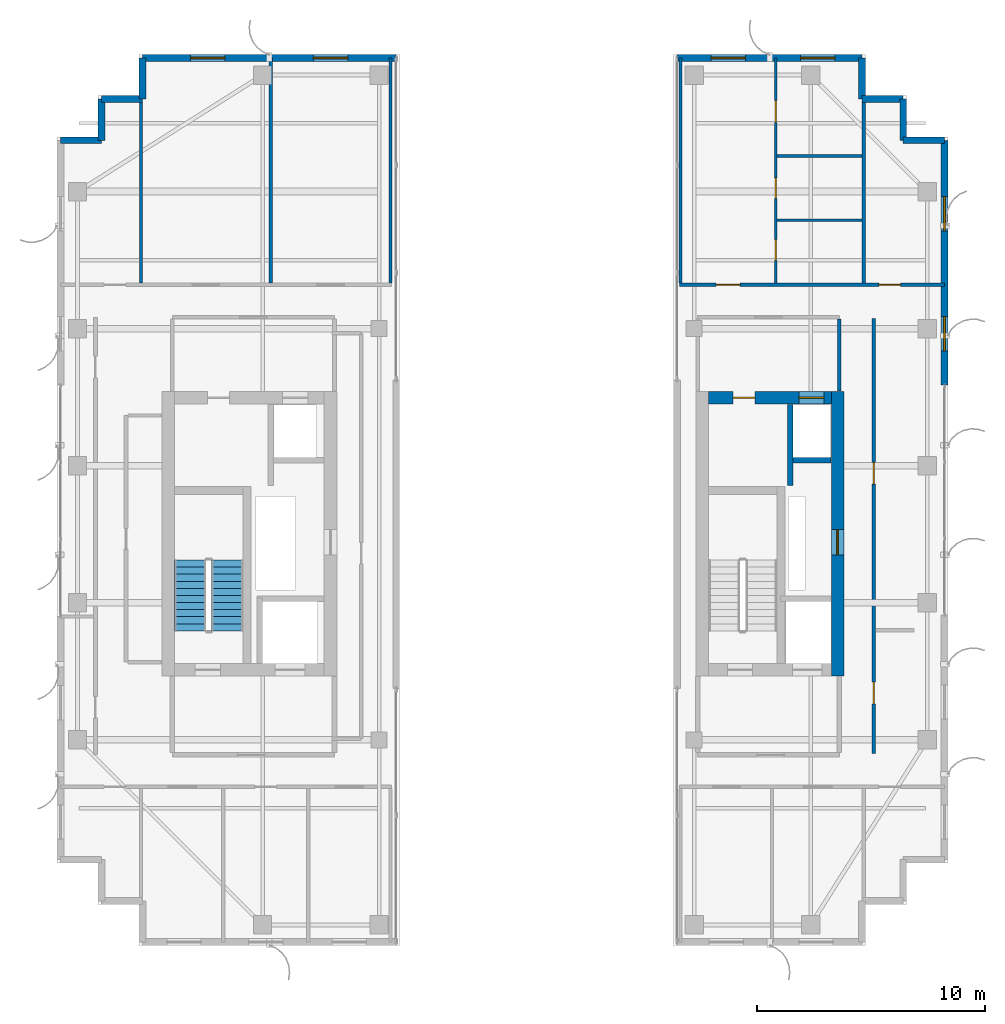
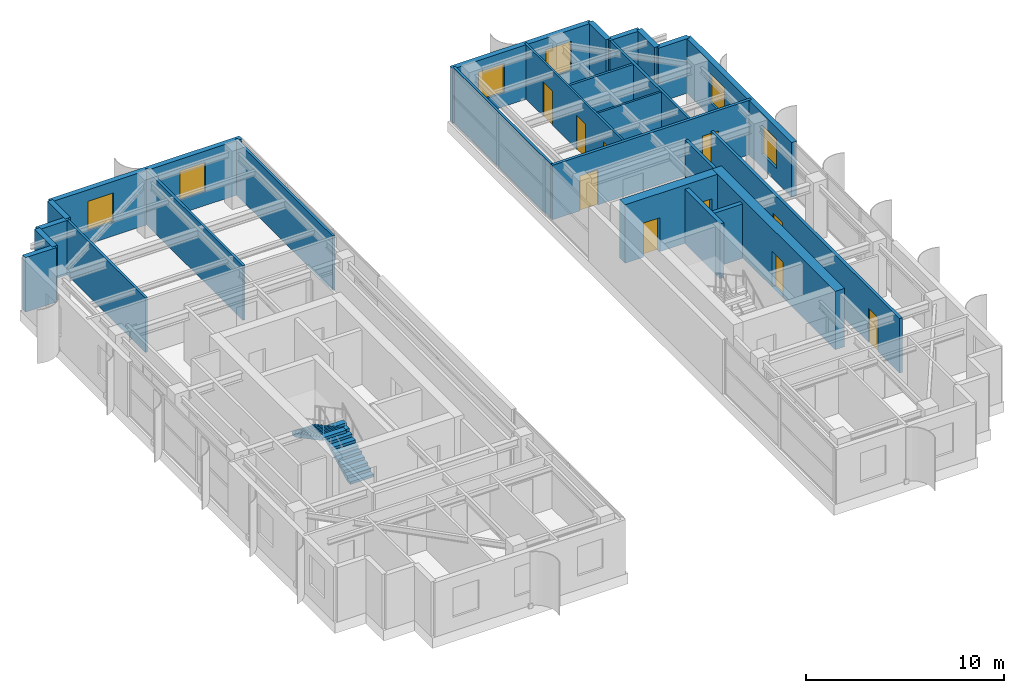
# One storey, part 20 of 24: 26 walls, 10 doors, 6 windows, 2 stair flights, 16 openings, 1 element without a shape of its own.
"""IFC4 building model written with IfcOpenShell, lengths in metres."""

from ifc_helpers import new_model, si_unit, direction, frame, frame_2d, origin, place, context, subcontext, project, spatial, polyline, rectangle, outline, extrude, source, transform, mapped, material, layer, layer_set, type_object, element, fill, aggregate, save


model = new_model("IFC4")

# Units and contexts
model_context = context("Model", 3, precision=1e-05, world=origin(), true_north=direction((0.0, 1.0)))
body_context = subcontext(model_context, "Body", "Model", "MODEL_VIEW")
ifc_project = project(units=[si_unit("LENGTHUNIT", "METRE"), si_unit("AREAUNIT", "SQUARE_METRE"), si_unit("VOLUMEUNIT", "CUBIC_METRE"), si_unit("PLANEANGLEUNIT", "RADIAN"), si_unit("MASSUNIT", "GRAM", prefix="KILO")], contexts=[model_context])

# Site, building, storey
site_placement = place(None, origin())
site = spatial("IfcSite", under=ifc_project, at=site_placement, CompositionType="ELEMENT")
building_placement = place(site_placement, origin())
building = spatial("IfcBuilding", under=site, at=building_placement, Name="Khoralis Quay Care Tower", CompositionType="ELEMENT")
storey_placement = place(building_placement, frame((0.0, 0.0, 227.699951171875)))
storey = spatial("IfcBuildingStorey", under=building, at=storey_placement, Name="L59", CompositionType="ELEMENT", Elevation=227.699951171875)

# Wall, opening, door
ifc_material_1 = material(Name="Concrete C65/80", Category="concrete")
ifc_layer_1 = layer(ifc_material_1, 0.550048828125)
ifc_layer_set_1 = layer_set([ifc_layer_1], Name="Concrete C65/80")
wall_type_1 = type_object("IfcWallType", Name="WL-CORE-550", PredefinedType="SHEAR", material=ifc_layer_set_1)
wall_1_placement = place(storey_placement, frame((37.175048828125, 14.800048828125, 0.0), z_axis=(0.0, 0.0, 1.0), x_axis=(0.0, 1.0, 0.0)))
wall_1 = element("IfcWall", 1, at=wall_1_placement, inside=storey, type_object=wall_type_1, Name="L59 ECORE East Shear Wall", PredefinedType="SHEAR", context=body_context, shape_type="SweptSolid", body=[
    extrude(rectangle(XDim=12.449951171875, YDim=0.550048828125, at=frame_2d((6.22509765625, 0.0))), origin(), (0.0, 0.0, 1.0), 3.60009765625),
])
opening_1_placement = place(wall_1_placement, frame((5.300048828125, 0.0, 0.0)))
opening_1 = element("IfcOpeningElement", 2, at=opening_1_placement, cuts=wall_1, Name="Opening SD1", PredefinedType="OPENING", context=body_context, shape_type="SweptSolid", body=[
    extrude(rectangle(XDim=1.10009765625, YDim=2.199951171875, at=frame_2d((0.550048828125, 1.10009765625))), frame((0.0, 0.28515625, 0.0), z_axis=(0.0, -1.0, 0.0), x_axis=(1.0, 0.0, 0.0)), (0.0, 0.0, 1.0), 0.570068359375),
])
ifc_material_2 = material(Name="Fire-rated painted steel", Category="steel")
door_type_1 = type_object("IfcDoorType", Name="DR-STAIR-1100X2200", OperationType="NOTDEFINED", PredefinedType="DOOR", material=ifc_material_2)
shared_shape_1 = source(origin(), body_context, "Body", "SweptSolid", [
    extrude(rectangle(XDim=1.10009765625, YDim=2.199951171875, at=frame_2d((0.550048828125, 1.10009765625))), frame((0.0, 0.02490234375, 0.0), z_axis=(0.0, -1.0, 0.0), x_axis=(1.0, 0.0, 0.0)), (0.0, 0.0, 1.0), 0.050048828125),
])
door_1_placement = place(opening_1_placement, frame((1.10009765625, 0.0, 0.0), z_axis=(0.0, 0.0, 1.0), x_axis=(-1.0, 0.0, 0.0)))
door_1 = element("IfcDoor", 3, at=door_1_placement, inside=storey, type_object=door_type_1, Name="L59 East MEP Riser Door", OperationType="SINGLE_SWING_RIGHT", OverallHeight=2.199951171875, OverallWidth=1.10009765625, PredefinedType="DOOR", context=body_context, shape_type="MappedRepresentation", body=[
    mapped(shared_shape_1, transform((0.0, 0.0, 0.0), scale=1.0)),
])
fill(opening_1, door_1)

# Wall, openings, doors
wall_2_placement = place(storey_placement, frame((31.52001953125, 26.97509765625, 0.0), z_axis=(0.0, 0.0, 1.0), x_axis=(1.0, 0.0, 0.0)))
wall_2 = element("IfcWall", 4, at=wall_2_placement, inside=storey, type_object=wall_type_1, Name="L59 ECORE North Shear Wall", PredefinedType="SHEAR", context=body_context, shape_type="SweptSolid", body=[
    extrude(rectangle(XDim=5.3798828125, YDim=0.550048828125, at=frame_2d((2.68994140625, 0.0))), origin(), (0.0, 0.0, 1.0), 3.60009765625),
])
opening_2_placement = place(wall_2_placement, frame((1.080078125, 0.0, 0.0)))
opening_2 = element("IfcOpeningElement", 5, at=opening_2_placement, cuts=wall_2, Name="Opening ID1", PredefinedType="OPENING", context=body_context, shape_type="SweptSolid", body=[
    extrude(rectangle(XDim=0.949951171875, YDim=2.10009765625, at=frame_2d((0.47509765625, 1.050048828125))), frame((0.0, 0.28515625, 0.0), z_axis=(0.0, -1.0, 0.0), x_axis=(1.0, 0.0, 0.0)), (0.0, 0.0, 1.0), 0.570068359375),
])
opening_3_placement = place(wall_2_placement, frame((3.9599609375, 0.0, 0.0)))
opening_3 = element("IfcOpeningElement", 6, at=opening_3_placement, cuts=wall_2, Name="Opening LD1", PredefinedType="OPENING", context=body_context, shape_type="SweptSolid", body=[
    extrude(rectangle(XDim=1.10009765625, YDim=2.199951171875, at=frame_2d((0.550048828125, 1.10009765625))), frame((0.0, 0.28515625, 0.0), z_axis=(0.0, -1.0, 0.0), x_axis=(1.0, 0.0, 0.0)), (0.0, 0.0, 1.0), 0.570068359375),
])
ifc_material_3 = material(Name="Brushed stainless steel", Category="steel")
door_type_2 = type_object("IfcDoorType", Name="DR-LIFT-1100X2200", OperationType="SLIDING_TO_LEFT", PredefinedType="DOOR", material=ifc_material_3)
shared_shape_2 = source(origin(), body_context, "Body", "SweptSolid", [
    extrude(rectangle(XDim=1.10009765625, YDim=2.199951171875, at=frame_2d((0.550048828125, 1.10009765625))), frame((0.0, 0.02490234375, 0.0), z_axis=(0.0, -1.0, 0.0), x_axis=(1.0, 0.0, 0.0)), (0.0, 0.0, 1.0), 0.050048828125),
])
door_2_placement = place(opening_3_placement, origin())
door_2 = element("IfcDoor", 7, at=door_2_placement, inside=storey, type_object=door_type_2, Name="L59 Lift PLH2 Landing Door", OperationType="SLIDING_TO_LEFT", OverallHeight=2.199951171875, OverallWidth=1.10009765625, PredefinedType="DOOR", context=body_context, shape_type="MappedRepresentation", body=[
    mapped(shared_shape_2, transform((0.0, 0.0, 0.0), scale=1.0)),
])
fill(opening_3, door_2)
ifc_material_4 = material(Name="Acoustic hardwood timber", Category="wood")
door_type_3 = type_object("IfcDoorType", Name="DR-ROOM-950X2100", OperationType="NOTDEFINED", PredefinedType="DOOR", material=ifc_material_4)
shared_shape_3 = source(origin(), body_context, "Body", "SweptSolid", [
    extrude(rectangle(XDim=0.949951171875, YDim=2.10009765625, at=frame_2d((0.47509765625, 1.050048828125))), frame((0.0, 0.02490234375, 0.0), z_axis=(0.0, -1.0, 0.0), x_axis=(1.0, 0.0, 0.0)), (0.0, 0.0, 1.0), 0.050048828125),
])
door_3_placement = place(opening_2_placement, frame((0.949951171875, 0.0, 0.0), z_axis=(0.0, 0.0, 1.0), x_axis=(-1.0, 0.0, 0.0)))
door_3 = element("IfcDoor", 8, at=door_3_placement, inside=storey, type_object=door_type_3, Name="L59 Rehab Studio Door", OperationType="SINGLE_SWING_RIGHT", OverallHeight=2.10009765625, OverallWidth=0.949951171875, PredefinedType="DOOR", context=body_context, shape_type="MappedRepresentation", body=[
    mapped(shared_shape_3, transform((0.0, 0.0, 0.0), scale=1.0)),
])
fill(opening_2, door_3)

# Wall
ifc_material_5 = material(Name="Gypsum plasterboard on acoustic metal stud")
ifc_layer_2 = layer(ifc_material_5, 0.1650390625)
ifc_layer_set_2 = layer_set([ifc_layer_2], Name="Gypsum plasterboard on acoustic metal stud")
wall_type_2 = type_object("IfcWallType", Name="WL-CORR-165", PredefinedType="PARTITIONING", material=ifc_layer_set_2)
wall_3_placement = place(storey_placement, frame((37.25, 27.27001953125, 0.0), z_axis=(0.0, 0.0, 1.0), x_axis=(0.0, 1.0, 0.0)))
element("IfcWall", 9, at=wall_3_placement, inside=storey, type_object=wall_type_2, Name="L59 East Lift Lobby East Wall", PredefinedType="PARTITIONING", context=body_context, shape_type="SweptSolid", body=[
    extrude(rectangle(XDim=3.152587890625, YDim=0.1650390625, at=frame_2d((1.576171875, 0.0))), origin(), (0.0, 0.0, 1.0), 3.360107421875),
])

# Wall, openings, doors
wall_4_placement = place(storey_placement, frame((30.25, 31.919921875, 0.0), z_axis=(0.0, 0.0, 1.0), x_axis=(1.0, 0.0, 0.0)))
wall_4 = element("IfcWall", 10, at=wall_4_placement, inside=storey, type_object=wall_type_2, Name="L59 East Wing North Corridor Wall", PredefinedType="PARTITIONING", context=body_context, shape_type="SweptSolid", body=[
    extrude(rectangle(XDim=11.60498046875, YDim=0.1650390625, at=frame_2d((5.802490234375, 0.0))), origin(), (0.0, 0.0, 1.0), 3.360107421875),
])
opening_4_placement = place(wall_4_placement, frame((1.610107421875, 0.0, 0.0)))
opening_4 = element("IfcOpeningElement", 11, at=opening_4_placement, cuts=wall_4, Name="Opening UD1", PredefinedType="OPENING", context=body_context, shape_type="SweptSolid", body=[
    extrude(rectangle(XDim=1.050048828125, YDim=2.14990234375, at=frame_2d((0.52490234375, 1.074951171875))), frame((0.0, 0.092529296875, 0.0), z_axis=(0.0, -1.0, 0.0), x_axis=(1.0, 0.0, 0.0)), (0.0, 0.0, 1.0), 0.18505859375),
])
opening_5_placement = place(wall_4_placement, frame((8.735107421875, 0.0, 0.0)))
opening_5 = element("IfcOpeningElement", 12, at=opening_5_placement, cuts=wall_4, Name="Opening ID1", PredefinedType="OPENING", context=body_context, shape_type="SweptSolid", body=[
    extrude(rectangle(XDim=0.949951171875, YDim=2.10009765625, at=frame_2d((0.47509765625, 1.050048828125))), frame((0.0, 0.092529296875, 0.0), z_axis=(0.0, -1.0, 0.0), x_axis=(1.0, 0.0, 0.0)), (0.0, 0.0, 1.0), 0.18505859375),
])
door_4_placement = place(opening_5_placement, origin())
door_4 = element("IfcDoor", 13, at=door_4_placement, inside=storey, type_object=door_type_3, Name="L59 NE Corner Door", OperationType="SINGLE_SWING_LEFT", OverallHeight=2.10009765625, OverallWidth=0.949951171875, PredefinedType="DOOR", context=body_context, shape_type="MappedRepresentation", body=[
    mapped(shared_shape_3, transform((0.0, 0.0, 0.0), scale=1.0)),
])
fill(opening_5, door_4)
door_type_4 = type_object("IfcDoorType", Name="DR-SUITE-1050X2150", OperationType="NOTDEFINED", PredefinedType="DOOR", material=ifc_material_4)
shared_shape_4 = source(origin(), body_context, "Body", "SweptSolid", [
    extrude(rectangle(XDim=1.050048828125, YDim=2.14990234375, at=frame_2d((0.52490234375, 1.074951171875))), frame((0.0, 0.02490234375, 0.0), z_axis=(0.0, -1.0, 0.0), x_axis=(1.0, 0.0, 0.0)), (0.0, 0.0, 1.0), 0.050048828125),
])
door_5_placement = place(opening_4_placement, origin())
door_5 = element("IfcDoor", 14, at=door_5_placement, inside=storey, type_object=door_type_4, Name="L59 Apartment EN0 Entrance Door", OperationType="SINGLE_SWING_RIGHT", OverallHeight=2.14990234375, OverallWidth=1.050048828125, PredefinedType="DOOR", context=body_context, shape_type="MappedRepresentation", body=[
    mapped(shared_shape_4, transform((0.0, 0.0, 0.0), scale=1.0)),
])
fill(opening_4, door_5)

wall_5_placement = place(storey_placement, frame((38.760009765625, 11.39990234375, 0.0), z_axis=(0.0, 0.0, 1.0), x_axis=(0.0, 1.0, 0.0)))
wall_5 = element("IfcWall", 15, at=wall_5_placement, inside=storey, type_object=wall_type_2, Name="L59 East High-Rise Suite Wall", PredefinedType="PARTITIONING", context=body_context, shape_type="SweptSolid", body=[
    extrude(rectangle(XDim=19.050048828125, YDim=0.1650390625, at=frame_2d((9.52490234375, 0.0))), origin(), (0.0, 0.0, 1.0), 3.360107421875),
])
opening_6_placement = place(wall_5_placement, frame((2.175048828125, 0.0, 0.0)))
opening_6 = element("IfcOpeningElement", 16, at=opening_6_placement, cuts=wall_5, Name="Opening ID1", PredefinedType="OPENING", context=body_context, shape_type="SweptSolid", body=[
    extrude(rectangle(XDim=0.949951171875, YDim=2.10009765625, at=frame_2d((0.47509765625, 1.050048828125))), frame((0.0, 0.092529296875, 0.0), z_axis=(0.0, -1.0, 0.0), x_axis=(1.0, 0.0, 0.0)), (0.0, 0.0, 1.0), 0.18505859375),
])
opening_7_placement = place(wall_5_placement, frame((11.800048828125, 0.0, 0.0)))
opening_7 = element("IfcOpeningElement", 17, at=opening_7_placement, cuts=wall_5, Name="Opening ID1", PredefinedType="OPENING", context=body_context, shape_type="SweptSolid", body=[
    extrude(rectangle(XDim=0.949951171875, YDim=2.10009765625, at=frame_2d((0.47509765625, 1.050048828125))), frame((0.0, 0.092529296875, 0.0), z_axis=(0.0, -1.0, 0.0), x_axis=(1.0, 0.0, 0.0)), (0.0, 0.0, 1.0), 0.18505859375),
])
door_6_placement = place(opening_6_placement, origin())
door_6 = element("IfcDoor", 18, at=door_6_placement, inside=storey, type_object=door_type_3, Name="L59 East High-Rise Sun Lounge Door", OperationType="SINGLE_SWING_LEFT", OverallHeight=2.10009765625, OverallWidth=0.949951171875, PredefinedType="DOOR", context=body_context, shape_type="MappedRepresentation", body=[
    mapped(shared_shape_3, transform((0.0, 0.0, 0.0), scale=1.0)),
])
fill(opening_6, door_6)
door_7_placement = place(opening_7_placement, origin())
door_7 = element("IfcDoor", 19, at=door_7_placement, inside=storey, type_object=door_type_3, Name="L59 East High-Rise Care Office Door", OperationType="SINGLE_SWING_RIGHT", OverallHeight=2.10009765625, OverallWidth=0.949951171875, PredefinedType="DOOR", context=body_context, shape_type="MappedRepresentation", body=[
    mapped(shared_shape_3, transform((0.0, 0.0, 0.0), scale=1.0)),
])
fill(opening_7, door_7)

# Wall, openings, windows
ifc_material_6 = material(Name="Precast concrete C45/55", Category="concrete")
ifc_layer_3 = layer(ifc_material_6, 0.300048828125)
ifc_layer_set_3 = layer_set([ifc_layer_3], Name="Precast concrete C45/55")
wall_type_3 = type_object("IfcWallType", Name="WL-EXT-REF-300", PredefinedType="SOLIDWALL", material=ifc_layer_set_3)
wall_6_placement = place(storey_placement, frame((17.85009765625, 41.85009765625, 0.0), z_axis=(0.0, 0.0, 1.0), x_axis=(-1.0, 0.0, 0.0)))
wall_6 = element("IfcWall", 20, at=wall_6_placement, inside=storey, type_object=wall_type_3, Name="L59 External Facade Wall WL-EXT-L59-P1-E2", PredefinedType="SOLIDWALL", context=body_context, shape_type="SweptSolid", body=[
    extrude(rectangle(XDim=11.10009765625, YDim=0.300048828125, at=frame_2d((5.550048828125, 0.0))), origin(), (0.0, 0.0, 1.0), 3.360107421875),
])
opening_8_placement = place(wall_6_placement, frame((2.1201171875, 0.0, 0.85009765625)))
opening_8 = element("IfcOpeningElement", 21, at=opening_8_placement, cuts=wall_6, Name="Opening W3", PredefinedType="OPENING", context=body_context, shape_type="SweptSolid", body=[
    extrude(rectangle(XDim=1.5, YDim=1.800048828125, at=frame_2d((0.75, 0.89990234375))), frame((0.0, 0.16015625, 0.0), z_axis=(0.0, -1.0, 0.0), x_axis=(1.0, 0.0, 0.0)), (0.0, 0.0, 1.0), 0.320068359375),
])
opening_9_placement = place(wall_6_placement, frame((7.4951171875, 0.0, 0.85009765625)))
opening_9 = element("IfcOpeningElement", 22, at=opening_9_placement, cuts=wall_6, Name="Opening W3", PredefinedType="OPENING", context=body_context, shape_type="SweptSolid", body=[
    extrude(rectangle(XDim=1.5, YDim=1.800048828125, at=frame_2d((0.75, 0.89990234375))), frame((0.0, 0.16015625, 0.0), z_axis=(0.0, -1.0, 0.0), x_axis=(1.0, 0.0, 0.0)), (0.0, 0.0, 1.0), 0.320068359375),
])
ifc_material_7 = material(Name="Low-E solar-control double glazing", Category="glass")
window_type = type_object("IfcWindowType", Name="WN-CLIN-1500X1800", PartitioningType="SINGLE_PANEL", PredefinedType="WINDOW", material=ifc_material_7)
shared_shape_5 = source(origin(), body_context, "Body", "SweptSolid", [
    extrude(rectangle(XDim=1.5, YDim=1.800048828125, at=frame_2d((0.75, 0.89990234375))), frame((0.0, 0.030029296875, 0.0), z_axis=(0.0, -1.0, 0.0), x_axis=(1.0, 0.0, 0.0)), (0.0, 0.0, 1.0), 0.06005859375),
])
window_1_placement = place(opening_8_placement, origin())
window_1 = element("IfcWindow", 23, at=window_1_placement, inside=storey, type_object=window_type, Name="WN-L59-P1-E2 Facade Window 01", OverallHeight=1.800048828125, OverallWidth=1.5, PartitioningType="SINGLE_PANEL", PredefinedType="WINDOW", context=body_context, shape_type="MappedRepresentation", body=[
    mapped(shared_shape_5, transform((0.0, 0.0, 0.0), scale=1.0)),
])
fill(opening_8, window_1)
window_2_placement = place(opening_9_placement, origin())
window_2 = element("IfcWindow", 24, at=window_2_placement, inside=storey, type_object=window_type, Name="WN-L59-P1-E2 Facade Window 02", OverallHeight=1.800048828125, OverallWidth=1.5, PartitioningType="SINGLE_PANEL", PredefinedType="WINDOW", context=body_context, shape_type="MappedRepresentation", body=[
    mapped(shared_shape_5, transform((0.0, 0.0, 0.0), scale=1.0)),
])
fill(opening_9, window_2)

# Walls
for number, where, z_axis, x_axis, name in (
    (25, (6.75, 41.85009765625, 0.0), (0.0, 0.0, 1.0), (0.0, -1.0, 0.0), "L59 External Facade Wall WL-EXT-L59-P1-C3"),
    (26, (6.75, 40.050048828125, 0.0), (0.0, 0.0, 1.0), (-1.0, 0.0, 0.0), "L59 External Facade Wall WL-EXT-L59-P1-C4"),
    (27, (4.949951171875, 40.050048828125, 0.0), (0.0, 0.0, 1.0), (0.0, -1.0, 0.0), "L59 External Facade Wall WL-EXT-L59-P1-C5"),
    (28, (4.949951171875, 38.25, 0.0), (0.0, 0.0, 1.0), (-1.0, 0.0, 0.0), "L59 External Facade Wall WL-EXT-L59-P1-C6"),
):
    element("IfcWall", number, at=place(storey_placement, frame(where, z_axis=z_axis, x_axis=x_axis)), inside=storey, type_object=wall_type_3, Name=name, PredefinedType="SOLIDWALL", context=body_context, shape_type="SweptSolid", body=[
        extrude(rectangle(XDim=1.800048828125, YDim=0.300048828125, at=frame_2d((0.89990234375, 0.0))), origin(), (0.0, 0.0, 1.0), 3.360107421875),
    ])

# Wall, openings, windows
wall_7_placement = place(storey_placement, frame((41.85009765625, 27.5400390625, 0.0), z_axis=(0.0, 0.0, 1.0), x_axis=(0.0, 1.0, 0.0)))
wall_7 = element("IfcWall", 29, at=wall_7_placement, inside=storey, type_object=wall_type_3, Name="L59 External Facade Wall WL-EXT-L59-P2-E5B", PredefinedType="SOLIDWALL", context=body_context, shape_type="SweptSolid", body=[
    extrude(rectangle(XDim=10.7099609375, YDim=0.300048828125, at=frame_2d((5.35498046875, 0.0))), origin(), (0.0, 0.0, 1.0), 3.360107421875),
])
opening_10_placement = place(wall_7_placement, frame((1.489990234375, 0.0, 0.85009765625)))
opening_10 = element("IfcOpeningElement", 30, at=opening_10_placement, cuts=wall_7, Name="Opening W3", PredefinedType="OPENING", context=body_context, shape_type="SweptSolid", body=[
    extrude(rectangle(XDim=1.5, YDim=1.800048828125, at=frame_2d((0.75, 0.89990234375))), frame((0.0, 0.16015625, 0.0), z_axis=(0.0, -1.0, 0.0), x_axis=(1.0, 0.0, 0.0)), (0.0, 0.0, 1.0), 0.320068359375),
])
opening_11_placement = place(wall_7_placement, frame((6.7451171875, 0.0, 0.85009765625)))
opening_11 = element("IfcOpeningElement", 31, at=opening_11_placement, cuts=wall_7, Name="Opening W3", PredefinedType="OPENING", context=body_context, shape_type="SweptSolid", body=[
    extrude(rectangle(XDim=1.5, YDim=1.800048828125, at=frame_2d((0.75, 0.89990234375))), frame((0.0, 0.16015625, 0.0), z_axis=(0.0, -1.0, 0.0), x_axis=(1.0, 0.0, 0.0)), (0.0, 0.0, 1.0), 0.320068359375),
])
window_3_placement = place(opening_10_placement, origin())
window_3 = element("IfcWindow", 32, at=window_3_placement, inside=storey, type_object=window_type, Name="WN-L59-P2-E5B Facade Window 01", OverallHeight=1.800048828125, OverallWidth=1.5, PartitioningType="SINGLE_PANEL", PredefinedType="WINDOW", context=body_context, shape_type="MappedRepresentation", body=[
    mapped(shared_shape_5, transform((0.0, 0.0, 0.0), scale=1.0)),
])
fill(opening_10, window_3)
window_4_placement = place(opening_11_placement, origin())
window_4 = element("IfcWindow", 33, at=window_4_placement, inside=storey, type_object=window_type, Name="WN-L59-P2-E5B Facade Window 02", OverallHeight=1.800048828125, OverallWidth=1.5, PartitioningType="SINGLE_PANEL", PredefinedType="WINDOW", context=body_context, shape_type="MappedRepresentation", body=[
    mapped(shared_shape_5, transform((0.0, 0.0, 0.0), scale=1.0)),
])
fill(opening_11, window_4)

# Walls
for number, where, z_axis, x_axis, name in (
    (34, (41.85009765625, 38.25, 0.0), (0.0, 0.0, 1.0), (-1.0, 0.0, 0.0), "L59 External Facade Wall WL-EXT-L59-P2-C6"),
    (35, (40.050048828125, 38.25, 0.0), (0.0, 0.0, 1.0), (0.0, 1.0, 0.0), "L59 External Facade Wall WL-EXT-L59-P2-C7"),
    (36, (40.050048828125, 40.050048828125, 0.0), (0.0, 0.0, 1.0), (-1.0, 0.0, 0.0), "L59 External Facade Wall WL-EXT-L59-P2-C8"),
    (37, (38.25, 40.050048828125, 0.0), (0.0, 0.0, 1.0), (0.0, 1.0, 0.0), "L59 External Facade Wall WL-EXT-L59-P2-C9"),
):
    element("IfcWall", number, at=place(storey_placement, frame(where, z_axis=z_axis, x_axis=x_axis)), inside=storey, type_object=wall_type_3, Name=name, PredefinedType="SOLIDWALL", context=body_context, shape_type="SweptSolid", body=[
        extrude(rectangle(XDim=1.800048828125, YDim=0.300048828125, at=frame_2d((0.89990234375, 0.0))), origin(), (0.0, 0.0, 1.0), 3.360107421875),
    ])

# Wall, openings, windows
wall_8_placement = place(storey_placement, frame((38.25, 41.85009765625, 0.0), z_axis=(0.0, 0.0, 1.0), x_axis=(-1.0, 0.0, 0.0)))
wall_8 = element("IfcWall", 38, at=wall_8_placement, inside=storey, type_object=wall_type_3, Name="L59 External Facade Wall WL-EXT-L59-P2-E10", PredefinedType="SOLIDWALL", context=body_context, shape_type="SweptSolid", body=[
    extrude(rectangle(XDim=8.10009765625, YDim=0.300048828125, at=frame_2d((4.050048828125, 0.0))), origin(), (0.0, 0.0, 1.0), 3.360107421875),
])
opening_12_placement = place(wall_8_placement, frame((1.18994140625, 0.0, 0.85009765625)))
opening_12 = element("IfcOpeningElement", 39, at=opening_12_placement, cuts=wall_8, Name="Opening W3", PredefinedType="OPENING", context=body_context, shape_type="SweptSolid", body=[
    extrude(rectangle(XDim=1.5, YDim=1.800048828125, at=frame_2d((0.75, 0.89990234375))), frame((0.0, 0.16015625, 0.0), z_axis=(0.0, -1.0, 0.0), x_axis=(1.0, 0.0, 0.0)), (0.0, 0.0, 1.0), 0.320068359375),
])
opening_13_placement = place(wall_8_placement, frame((5.114990234375, 0.0, 0.85009765625)))
opening_13 = element("IfcOpeningElement", 40, at=opening_13_placement, cuts=wall_8, Name="Opening W3", PredefinedType="OPENING", context=body_context, shape_type="SweptSolid", body=[
    extrude(rectangle(XDim=1.5, YDim=1.800048828125, at=frame_2d((0.75, 0.89990234375))), frame((0.0, 0.16015625, 0.0), z_axis=(0.0, -1.0, 0.0), x_axis=(1.0, 0.0, 0.0)), (0.0, 0.0, 1.0), 0.320068359375),
])
window_5_placement = place(opening_12_placement, origin())
window_5 = element("IfcWindow", 41, at=window_5_placement, inside=storey, type_object=window_type, Name="WN-L59-P2-E10 Facade Window 01", OverallHeight=1.800048828125, OverallWidth=1.5, PartitioningType="SINGLE_PANEL", PredefinedType="WINDOW", context=body_context, shape_type="MappedRepresentation", body=[
    mapped(shared_shape_5, transform((0.0, 0.0, 0.0), scale=1.0)),
])
fill(opening_12, window_5)
window_6_placement = place(opening_13_placement, origin())
window_6 = element("IfcWindow", 42, at=window_6_placement, inside=storey, type_object=window_type, Name="WN-L59-P2-E10 Facade Window 02", OverallHeight=1.800048828125, OverallWidth=1.5, PartitioningType="SINGLE_PANEL", PredefinedType="WINDOW", context=body_context, shape_type="MappedRepresentation", body=[
    mapped(shared_shape_5, transform((0.0, 0.0, 0.0), scale=1.0)),
])
fill(opening_13, window_6)

# Wall, openings, doors
ifc_layer_4 = layer(ifc_material_5, 0.114990234375)
ifc_layer_set_4 = layer_set([ifc_layer_4], Name="Gypsum plasterboard on acoustic metal stud")
wall_type_4 = type_object("IfcWallType", Name="WL-PART-115", PredefinedType="PARTITIONING", material=ifc_layer_set_4)
wall_9_placement = place(storey_placement, frame((34.469970703125, 31.99755859375, 0.0), z_axis=(0.0, 0.0, 1.0), x_axis=(0.0, 1.0, 0.0)))
wall_9 = element("IfcWall", 43, at=wall_9_placement, inside=storey, type_object=wall_type_4, Name="L59 Unit 0 Internal Wall", PredefinedType="PARTITIONING", context=body_context, shape_type="SweptSolid", body=[
    extrude(rectangle(XDim=9.857421875, YDim=0.114990234375, at=frame_2d((4.9287109375, 0.0))), origin(), (0.0, 0.0, 1.0), 3.360107421875),
])
opening_14_placement = place(wall_9_placement, frame((7.034912109375, 0.0, 0.0)))
opening_14 = element("IfcOpeningElement", 44, at=opening_14_placement, cuts=wall_9, Name="Opening ID1", PredefinedType="OPENING", context=body_context, shape_type="SweptSolid", body=[
    extrude(rectangle(XDim=0.949951171875, YDim=2.10009765625, at=frame_2d((0.47509765625, 1.050048828125))), frame((0.0, 0.0673828125, 0.0), z_axis=(0.0, -1.0, 0.0), x_axis=(1.0, 0.0, 0.0)), (0.0, 0.0, 1.0), 0.135009765625),
])
opening_15_placement = place(wall_9_placement, frame((3.7060546875, 0.0, 0.0)))
opening_15 = element("IfcOpeningElement", 45, at=opening_15_placement, cuts=wall_9, Name="Opening WD1", PredefinedType="OPENING", context=body_context, shape_type="SweptSolid", body=[
    extrude(rectangle(XDim=0.89990234375, YDim=2.10009765625, at=frame_2d((0.449951171875, 1.050048828125))), frame((0.0, 0.0673828125, 0.0), z_axis=(0.0, -1.0, 0.0), x_axis=(1.0, 0.0, 0.0)), (0.0, 0.0, 1.0), 0.135009765625),
])
opening_16_placement = place(wall_9_placement, frame((0.99853515625, 0.0, 0.0)))
opening_16 = element("IfcOpeningElement", 46, at=opening_16_placement, cuts=wall_9, Name="Opening WD1", PredefinedType="OPENING", context=body_context, shape_type="SweptSolid", body=[
    extrude(rectangle(XDim=0.89990234375, YDim=2.10009765625, at=frame_2d((0.449951171875, 1.050048828125))), frame((0.0, 0.0673828125, 0.0), z_axis=(0.0, -1.0, 0.0), x_axis=(1.0, 0.0, 0.0)), (0.0, 0.0, 1.0), 0.135009765625),
])
door_type_5 = type_object("IfcDoorType", Name="DR-BATH-900X2100", OperationType="NOTDEFINED", PredefinedType="DOOR", material=ifc_material_4)
shared_shape_6 = source(origin(), body_context, "Body", "SweptSolid", [
    extrude(rectangle(XDim=0.89990234375, YDim=2.10009765625, at=frame_2d((0.449951171875, 1.050048828125))), frame((0.0, 0.02490234375, 0.0), z_axis=(0.0, -1.0, 0.0), x_axis=(1.0, 0.0, 0.0)), (0.0, 0.0, 1.0), 0.050048828125),
])
door_8_placement = place(opening_15_placement, frame((0.89990234375, 0.0, 0.0), z_axis=(0.0, 0.0, 1.0), x_axis=(-1.0, 0.0, 0.0)))
door_8 = element("IfcDoor", 47, at=door_8_placement, inside=storey, type_object=door_type_5, Name="L59 Apartment EN0 KIT Door", OperationType="SINGLE_SWING_RIGHT", OverallHeight=2.10009765625, OverallWidth=0.89990234375, PredefinedType="DOOR", context=body_context, shape_type="MappedRepresentation", body=[
    mapped(shared_shape_6, transform((0.0, 0.0, 0.0), scale=1.0)),
])
fill(opening_15, door_8)
door_9_placement = place(opening_16_placement, frame((0.89990234375, 0.0, 0.0), z_axis=(0.0, 0.0, 1.0), x_axis=(-1.0, 0.0, 0.0)))
door_9 = element("IfcDoor", 48, at=door_9_placement, inside=storey, type_object=door_type_5, Name="L59 Apartment EN0 BTH Door", OperationType="SINGLE_SWING_LEFT", OverallHeight=2.10009765625, OverallWidth=0.89990234375, PredefinedType="DOOR", context=body_context, shape_type="MappedRepresentation", body=[
    mapped(shared_shape_6, transform((0.0, 0.0, 0.0), scale=1.0)),
])
fill(opening_16, door_9)
door_10_placement = place(opening_14_placement, frame((0.949951171875, 0.0, 0.0), z_axis=(0.0, 0.0, 1.0), x_axis=(-1.0, 0.0, 0.0)))
door_10 = element("IfcDoor", 49, at=door_10_placement, inside=storey, type_object=door_type_3, Name="L59 Apartment EN0 BED Door", OperationType="SINGLE_SWING_LEFT", OverallHeight=2.10009765625, OverallWidth=0.949951171875, PredefinedType="DOOR", context=body_context, shape_type="MappedRepresentation", body=[
    mapped(shared_shape_3, transform((0.0, 0.0, 0.0), scale=1.0)),
])
fill(opening_14, door_10)

# Walls
wall_10_placement = place(storey_placement, frame((34.5224609375, 34.741943359375, 0.0), z_axis=(0.0, 0.0, 1.0), x_axis=(1.0, 0.0, 0.0)))
element("IfcWall", 50, at=wall_10_placement, inside=storey, type_object=wall_type_4, Name="L59 Unit 0 Kitchen Wall", PredefinedType="PARTITIONING", context=body_context, shape_type="SweptSolid", body=[
    extrude(rectangle(XDim=3.732421875, YDim=0.114990234375, at=frame_2d((1.8662109375, 0.0))), origin(), (0.0, 0.0, 1.0), 3.360107421875),
])
ifc_material_8 = material(Name="Moisture-resistant gypsum and ceramic tile")
ifc_layer_5 = layer(ifc_material_8, 0.280029296875)
ifc_layer_set_5 = layer_set([ifc_layer_5], Name="Moisture-resistant gypsum and ceramic tile")
wall_type_5 = type_object("IfcWallType", Name="WL-PLUMB-280", PredefinedType="PLUMBINGWALL", material=ifc_layer_set_5)
wall_11_placement = place(storey_placement, frame((34.5224609375, 37.56494140625, 0.0), z_axis=(0.0, 0.0, 1.0), x_axis=(1.0, 0.0, 0.0)))
element("IfcWall", 51, at=wall_11_placement, inside=storey, type_object=wall_type_5, Name="L59 Unit 0 Wet Wall", PredefinedType="PLUMBINGWALL", context=body_context, shape_type="SweptSolid", body=[
    extrude(rectangle(XDim=3.732421875, YDim=0.139892578125, at=frame_2d((1.8662109375, 0.0))), origin(), (0.0, 0.0, 1.0), 3.360107421875),
])
ifc_layer_6 = layer(ifc_material_5, 0.239990234375)
ifc_layer_set_6 = layer_set([ifc_layer_6], Name="Gypsum plasterboard on acoustic metal stud")
wall_type_6 = type_object("IfcWallType", Name="WL-SHAFT-240", PredefinedType="PARTITIONING", material=ifc_layer_set_6)
wall_12_placement = place(storey_placement, frame((35.110107421875, 23.139892578125, 0.0), z_axis=(0.0, 0.0, 1.0), x_axis=(0.0, 1.0, 0.0)))
element("IfcWall", 52, at=wall_12_placement, inside=storey, type_object=wall_type_6, Name="L59 High-Rise Reclaimed Bay Wall East", PredefinedType="PARTITIONING", context=body_context, shape_type="SweptSolid", body=[
    extrude(rectangle(XDim=3.5400390625, YDim=0.239990234375, at=frame_2d((1.77001953125, 0.0))), origin(), (0.0, 0.0, 1.0), 3.360107421875),
])
wall_13_placement = place(storey_placement, frame((35.22509765625, 24.22998046875, 0.0), z_axis=(0.0, 0.0, 1.0), x_axis=(1.0, 0.0, 0.0)))
element("IfcWall", 53, at=wall_13_placement, inside=storey, type_object=wall_type_6, Name="L59 High-Rise Shaft South Wall East", PredefinedType="PARTITIONING", context=body_context, shape_type="SweptSolid", body=[
    extrude(rectangle(XDim=1.65478515625, YDim=0.239990234375, at=frame_2d((0.827392578125, 0.0))), origin(), (0.0, 0.0, 1.0), 3.360107421875),
])
ifc_layer_7 = layer(ifc_material_5, 0.139892578125)
ifc_layer_set_7 = layer_set([ifc_layer_7], Name="Gypsum plasterboard on acoustic metal stud")
wall_type_7 = type_object("IfcWallType", Name="WL-UNIT-140", PredefinedType="PARTITIONING", material=ifc_layer_set_7)
wall_14_placement = place(storey_placement, frame((6.679931640625, 31.99755859375, 0.0), z_axis=(0.0, 0.0, 1.0), x_axis=(0.0, 1.0, 0.0)))
element("IfcWall", 54, at=wall_14_placement, inside=storey, type_object=wall_type_7, Name="L59 WN Demising Wall 0", PredefinedType="PARTITIONING", context=body_context, shape_type="SweptSolid", body=[
    extrude(rectangle(XDim=8.057373046875, YDim=0.139892578125, at=frame_2d((4.02880859375, 0.0))), origin(), (0.0, 0.0, 1.0), 3.360107421875),
])
for number, where, z_axis, x_axis, name in (
    (55, (12.360107421875, 31.99755859375, 0.0), (0.0, 0.0, 1.0), (0.0, 1.0, 0.0), "L59 WN Demising Wall 1"),
    (56, (17.60009765625, 31.99755859375, 0.0), (0.0, 0.0, 1.0), (0.0, 1.0, 0.0), "L59 WN Demising Wall 2"),
    (57, (30.300048828125, 31.99755859375, 0.0), (0.0, 0.0, 1.0), (0.0, 1.0, 0.0), "L59 EN Demising Wall 0"),
):
    element("IfcWall", number, at=place(storey_placement, frame(where, z_axis=z_axis, x_axis=x_axis)), inside=storey, type_object=wall_type_7, Name=name, PredefinedType="PARTITIONING", context=body_context, shape_type="SweptSolid", body=[
        extrude(rectangle(XDim=9.857421875, YDim=0.139892578125, at=frame_2d((4.9287109375, 0.0))), origin(), (0.0, 0.0, 1.0), 3.360107421875),
    ])
wall_15_placement = place(storey_placement, frame((38.320068359375, 31.99755859375, 0.0), z_axis=(0.0, 0.0, 1.0), x_axis=(0.0, 1.0, 0.0)))
element("IfcWall", 58, at=wall_15_placement, inside=storey, type_object=wall_type_7, Name="L59 EN Demising Wall 1", PredefinedType="PARTITIONING", context=body_context, shape_type="SweptSolid", body=[
    extrude(rectangle(XDim=8.057373046875, YDim=0.139892578125, at=frame_2d((4.02880859375, 0.0))), origin(), (0.0, 0.0, 1.0), 3.360107421875),
])

# Stair, stair flights
stair_type = type_object("IfcStairType", Name="ST-TWR-DOGLEG-1400", PredefinedType="HALF_TURN_STAIR", material=ifc_material_6)
stair_placement = place(storey_placement, origin())
stair = element("IfcStair", 59, at=stair_placement, inside=storey, type_object=stair_type, Name="L59 West Core Exit Stair ST-T1", PredefinedType="HALF_TURN_STAIR")
stair_flight_type = type_object("IfcStairFlightType", Name="SF-TWR-1400", PredefinedType="STRAIGHT", material=ifc_material_6)
shared_shape_7 = source(origin(), body_context, "Body", "SweptSolid", [
    extrude(outline(polyline([(0.0, 0.0), (0.0, 0.16357421875), (0.31005859375, 0.16357421875), (0.31005859375, 0.327392578125), (0.6201171875, 0.327392578125), (0.6201171875, 0.490966796875), (0.929931640625, 0.490966796875), (0.929931640625, 0.654541015625), (1.239990234375, 0.654541015625), (1.239990234375, 0.818115234375), (1.550048828125, 0.818115234375), (1.550048828125, 0.98193359375), (1.860107421875, 0.98193359375), (1.860107421875, 1.1455078125), (2.169921875, 1.1455078125), (2.169921875, 1.30908203125), (2.47998046875, 1.30908203125), (2.47998046875, 1.47265625), (2.7900390625, 1.47265625), (2.7900390625, 1.636474609375), (3.10009765625, 1.636474609375), (3.10009765625, 1.800048828125), (3.10009765625, 1.466796875), (0.321044921875, 0.0), (0.0, 0.0)])), frame((0.0, 0.68994140625, 0.0), z_axis=(0.0, -1.0, 0.0), x_axis=(1.0, 0.0, 0.0)), (0.0, 0.0, 1.0), 1.3798828125),
])
stair_flight_1_placement = place(storey_placement, frame((10.4599609375, 16.77001953125, 0.0), z_axis=(0.0, 0.0, 1.0), x_axis=(0.0, 1.0, 0.0)))
stair_flight_1 = element("IfcStairFlight", 60, at=stair_flight_1_placement, type_object=stair_flight_type, Name="ST-T1 flight 1", NumberOfRisers=11, NumberOfTreads=10, PredefinedType="STRAIGHT", RiserHeight=0.163636364, TreadLength=0.31, context=body_context, shape_type="MappedRepresentation", body=[
    mapped(shared_shape_7, transform((0.0, 0.0, 0.0), scale=1.0)),
])
stair_flight_2_placement = place(storey_placement, frame((8.840087890625, 19.8701171875, 1.800048828125), z_axis=(0.0, 0.0, 1.0), x_axis=(0.0, -1.0, 0.0)))
stair_flight_2 = element("IfcStairFlight", 61, at=stair_flight_2_placement, type_object=stair_flight_type, Name="ST-T1 flight 2", NumberOfRisers=11, NumberOfTreads=10, PredefinedType="STRAIGHT", RiserHeight=0.163636364, TreadLength=0.31, context=body_context, shape_type="MappedRepresentation", body=[
    mapped(shared_shape_7, transform((0.0, 0.0, 0.0), scale=1.0)),
])
aggregate(stair, [stair_flight_1, stair_flight_2])

save(model, "model.ifc")
